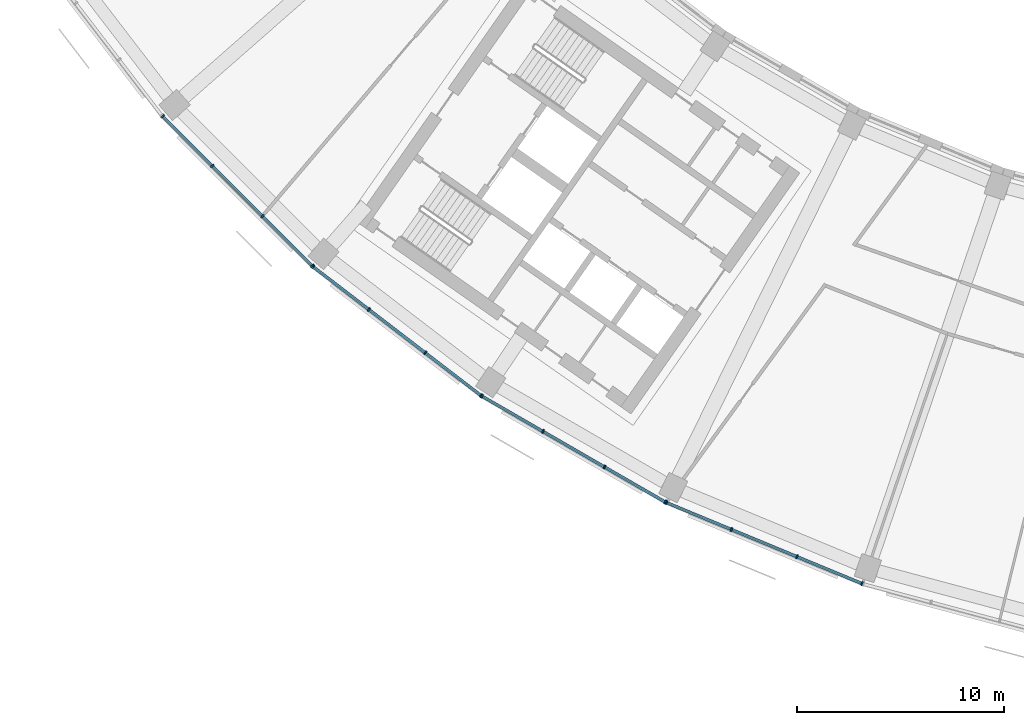
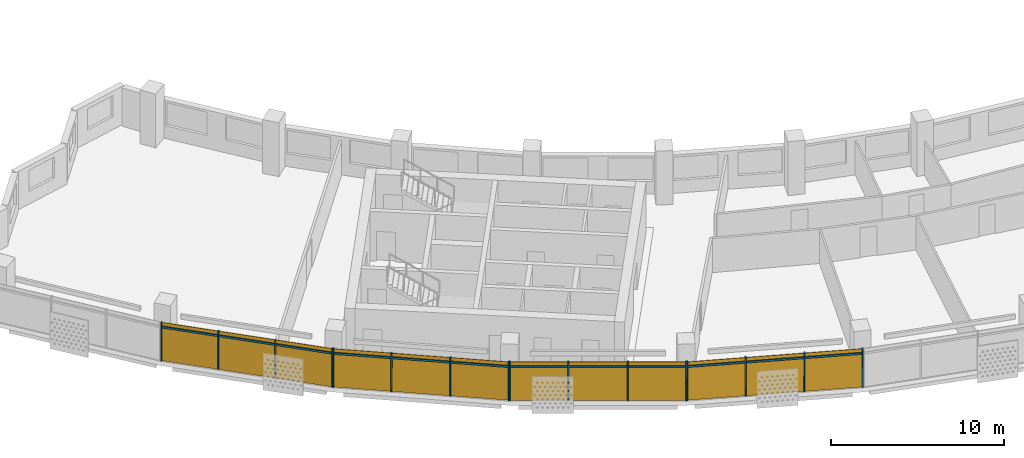
# One storey, part 17 of 28: 28 members, 4 curtain walls.
"""IFC4 building model written with IfcOpenShell, lengths in metres."""

import ifcopenshell
import ifcopenshell.guid

model = None  # the IFC model being written
_history = None  # IfcOwnerHistory: only IFC2X3 demands one
_inside = {}  # id of a spatial element -> (the spatial element, [elements in it])
_under = {}  # id of a project, library or spatial element -> (it, [spatial elements below it])
_declared = {}  # id of a project -> (the project, [libraries it declares])
_typed = {}  # id of a type object -> (the type object, [elements of that type])
_made_of = {}  # id of a material, layer set ... -> (it, [elements and type objects made of it])


def new_model(schema):
    """Start an empty IFC model of exactly this schema.

    Asked for "IFC4X3", IfcOpenShell would pick the latest addendum, in which some entities
    have other attributes; the version numbers below select the first issue.
    IFC2X3 requires an IfcOwnerHistory on every rooted entity: one is made here for all.
    """
    global model, _history
    if schema == "IFC4X3":
        model = ifcopenshell.file(schema_version=(4, 3, 0, 0))
    else:
        model = ifcopenshell.file(schema=schema)
    _inside.clear()
    _under.clear()
    _declared.clear()
    _typed.clear()
    _made_of.clear()
    _history = None
    if model.schema == "IFC2X3":
        org = make("IfcOrganization", Name="unknown")
        user = make(
            "IfcPersonAndOrganization",
            ThePerson=make("IfcPerson", FamilyName="unknown"),
            TheOrganization=org,
        )
        app = make(
            "IfcApplication",
            ApplicationDeveloper=org,
            Version="unknown",
            ApplicationFullName="unknown",
            ApplicationIdentifier="unknown",
        )
        _history = make(
            "IfcOwnerHistory",
            OwningUser=user,
            OwningApplication=app,
            ChangeAction="ADDED",
            CreationDate=0,
        )
    return model


def make(cls, **values):
    """One entity of the class cls with the attributes given. An attribute that is None is left unset."""
    return model.create_entity(
        cls, **{name: value for name, value in values.items() if value is not None}
    )


def rooted(cls, **values):
    """An entity with a GlobalId (a new one), such as an element, a storey or a relation."""
    return make(cls, GlobalId=ifcopenshell.guid.new(), OwnerHistory=_history, **values)


def si_unit(unit_type, name, prefix=None):
    """IfcSIUnit, for example si_unit("LENGTHUNIT", "METRE", prefix="MILLI")."""
    return make("IfcSIUnit", UnitType=unit_type, Prefix=prefix, Name=name)


def assignment(units):
    """IfcUnitAssignment: the units of a project."""
    return None if units is None else make("IfcUnitAssignment", Units=units)


def point(xyz):
    """IfcCartesianPoint."""
    return None if xyz is None else make("IfcCartesianPoint", Coordinates=xyz)


def direction(xyz):
    """IfcDirection."""
    return None if xyz is None else make("IfcDirection", DirectionRatios=xyz)


def frame(location, z_axis=None, x_axis=None):
    """IfcAxis2Placement3D, a coordinate frame: its origin and axes. An axis left out is left unset."""
    return make(
        "IfcAxis2Placement3D",
        Location=point(location),
        Axis=direction(z_axis),
        RefDirection=direction(x_axis),
    )


def frame_2d(location, x_axis=None):
    """IfcAxis2Placement2D, a coordinate frame in the plane: its origin and x axis."""
    return make(
        "IfcAxis2Placement2D", Location=point(location), RefDirection=direction(x_axis)
    )


def origin():
    """The frame at (0, 0, 0) with its axes left unset."""
    return frame((0.0, 0.0, 0.0))


def origin_2d():
    """The frame at (0, 0) in the plane with its x axis left unset."""
    return frame_2d((0.0, 0.0))


def place(relative_to, where):
    """IfcLocalPlacement: puts the frame where relative to a parent placement (None: the world)."""
    return make(
        "IfcLocalPlacement", PlacementRelTo=relative_to, RelativePlacement=where
    )


def context(
    kind, dimensions, precision=None, world=None, true_north=None, identifier=None
):
    """IfcGeometricRepresentationContext, for example the 3D "Model" context."""
    return make(
        "IfcGeometricRepresentationContext",
        ContextIdentifier=identifier,
        ContextType=kind,
        CoordinateSpaceDimension=dimensions,
        Precision=precision,
        WorldCoordinateSystem=world,
        TrueNorth=true_north,
    )


def subcontext(parent, identifier, kind, view, scale=None):
    """IfcGeometricRepresentationSubContext, for example "Body" below "Model"."""
    return make(
        "IfcGeometricRepresentationSubContext",
        ContextIdentifier=identifier,
        ContextType=kind,
        ParentContext=parent,
        TargetScale=scale,
        TargetView=view,
    )


def project(units=None, contexts=None):
    """IfcProject with its units and contexts."""
    return rooted(
        "IfcProject",
        Name="project",
        RepresentationContexts=contexts,
        UnitsInContext=assignment(units),
    )


def spatial(cls, under=None, at=None, **own):
    """A site, building, storey or space (cls), placed at a placement, below another one or the project."""
    s = rooted(cls, ObjectPlacement=at, **own)
    if under is not None:
        _under.setdefault(under.id(), (under, []))[1].append(s)
    return s


def profile(cls, at=None, kind="AREA", **sizes):
    """A parametric profile (cls). Its sizes go by their IFC names, for example OverallWidth=200.0."""
    return make(cls, ProfileType=kind, Position=at, **sizes)


def rectangle(**sizes):
    """IfcRectangleProfileDef."""
    return profile("IfcRectangleProfileDef", **sizes)


def extrude(swept, where, along, depth):
    """IfcExtrudedAreaSolid: the profile swept, set in the frame where, extruded along a direction by depth."""
    return make(
        "IfcExtrudedAreaSolid",
        SweptArea=swept,
        Position=where,
        ExtrudedDirection=direction(along),
        Depth=depth,
    )


def shape(context_of_items, identifier, shape_type, items):
    """IfcShapeRepresentation: the items that make up one representation, for example the "Body"."""
    return make(
        "IfcShapeRepresentation",
        ContextOfItems=context_of_items,
        RepresentationIdentifier=identifier,
        RepresentationType=shape_type,
        Items=items,
    )


def material(Name=None, Category=None):
    """IfcMaterial."""
    return make("IfcMaterial", Name=Name, Category=Category)


def material_profile(
    of_material, cross_section, Name=None, Category=None, Priority=None
):
    """IfcMaterialProfile: a cross section and its material."""
    return make(
        "IfcMaterialProfile",
        Name=Name,
        Material=of_material,
        Profile=cross_section,
        Priority=Priority,
        Category=Category,
    )


def profile_set(profiles, Name=None, composite=None):
    """IfcMaterialProfileSet."""
    return make(
        "IfcMaterialProfileSet",
        Name=Name,
        MaterialProfiles=profiles,
        CompositeProfile=composite,
    )


def made_of(thing, what):
    """Note that an element or type object is made of a material, layer set ...; save() writes the relation."""
    if what is not None:
        _made_of.setdefault(what.id(), (what, []))[1].append(thing)
    return thing


def type_object(cls, material=None, **own):
    """A type object (cls), such as IfcWallType, which elements share."""
    return made_of(rooted(cls, **own), material)


def element(
    cls,
    number,
    at=None,
    inside=None,
    cuts=None,
    type_object=None,
    material=None,
    context=None,
    identifier="Body",
    shape_type=None,
    held_by="IfcProductDefinitionShape",
    body=None,
    shapes=None,
    **own,
):
    """One element of the class cls, such as IfcWall. Its Tag is "e" and its number.

    at: its placement. inside: the storey or other place that contains it. cuts: it is an
    opening in that element (IfcRelVoidsElement). A single representation is given by context,
    identifier, shape_type and body (its items); several are given by shapes. held_by: the class
    of the entity that holds the representations. save() writes the other relations.
    """
    e = rooted(cls, Tag="e%d" % number, ObjectPlacement=at, **own)
    if body is not None:
        shapes = [shape(context, identifier, shape_type, body)]
    if shapes is not None:
        e.Representation = make(held_by, Representations=shapes)
    if inside is not None:
        _inside.setdefault(inside.id(), (inside, []))[1].append(e)
    if cuts is not None:
        rooted(
            "IfcRelVoidsElement", RelatingBuildingElement=cuts, RelatedOpeningElement=e
        )
    if type_object is not None:
        _typed.setdefault(type_object.id(), (type_object, []))[1].append(e)
    return made_of(e, material)


def aggregate(whole, parts):
    """IfcRelAggregates: a whole, such as a stair, and the parts it consists of."""
    return rooted("IfcRelAggregates", RelatingObject=whole, RelatedObjects=parts)


def save(model, path):
    """Write the relations noted so far, then the file.

    IfcRelAggregates (storeys below a building ...), IfcRelContainedInSpatialStructure (elements
    in a storey), IfcRelDefinesByType, IfcRelAssociatesMaterial and IfcRelDeclares: one each for
    every whole, place, type object, material and project.
    """
    for whole, parts in _under.values():
        aggregate(whole, parts)
    for where, things in _inside.values():
        rooted(
            "IfcRelContainedInSpatialStructure",
            RelatedElements=things,
            RelatingStructure=where,
        )
    for kind, things in _typed.values():
        rooted("IfcRelDefinesByType", RelatedObjects=things, RelatingType=kind)
    for what, things in _made_of.values():
        rooted("IfcRelAssociatesMaterial", RelatedObjects=things, RelatingMaterial=what)
    for by, libraries in _declared.values():
        rooted("IfcRelDeclares", RelatingContext=by, RelatedDefinitions=libraries)
    model.write(path)


model = new_model("IFC4")

# Units and contexts
model_context = context("Model", 3, precision=1e-05, world=origin(), true_north=direction((0.0, 1.0)))
body_context = subcontext(model_context, "Body", "Model", "MODEL_VIEW")
ifc_project = project(units=[si_unit("LENGTHUNIT", "METRE"), si_unit("AREAUNIT", "SQUARE_METRE"), si_unit("VOLUMEUNIT", "CUBIC_METRE"), si_unit("PLANEANGLEUNIT", "RADIAN"), si_unit("MASSUNIT", "GRAM", prefix="KILO")], contexts=[model_context])

# Member
ifc_material = material(Name="Aluminium 6063-T6 anodised", Category="aluminium")
ifc_material_profile_1 = material_profile(ifc_material, rectangle(XDim=0.199951171875, YDim=0.070068359375, at=origin_2d()))
ifc_profile_set_1 = profile_set([ifc_material_profile_1], Name="Aluminium 6063-T6 anodised")
member_type_1 = type_object("IfcMemberType", Name="Mullion 70 x 200 aluminium", PredefinedType="MULLION", material=ifc_profile_set_1)
site_placement = place(None, origin())
building_placement = place(site_placement, origin())
storey_placement = place(building_placement, frame((0.0, 0.0, 245.5)))
member_1_placement = place(storey_placement, frame((-59.03662109375, -51.8115234375, 0.0), z_axis=(0.0, 0.0, 1.0), x_axis=(0.707106781187, 0.707106781187, 0.0)))
member_1 = element("IfcMember", 1, at=member_1_placement, type_object=member_type_1, Name="e-cw1-L59-out02/M00", PredefinedType="MULLION", context=body_context, shape_type="SweptSolid", body=[
    extrude(rectangle(XDim=0.199951171875, YDim=0.070068359375, at=origin_2d()), origin(), (0.0, 0.0, 1.0), 2.699951171875),
])

member_2_placement = place(storey_placement, frame((-56.63671875, -54.211669921875, 0.0), z_axis=(0.0, 0.0, 1.0), x_axis=(0.707106781187, 0.707106781187, 0.0)))
member_2 = element("IfcMember", 2, at=member_2_placement, type_object=member_type_1, Name="e-cw1-L59-out02/M01", PredefinedType="MULLION", context=body_context, shape_type="SweptSolid", body=[
    extrude(rectangle(XDim=0.199951171875, YDim=0.070068359375, at=origin_2d()), origin(), (0.0, 0.0, 1.0), 2.699951171875),
])

member_3_placement = place(storey_placement, frame((-54.211669921875, -56.63671875, 0.0), z_axis=(0.0, 0.0, 1.0), x_axis=(0.707106781187, 0.707106781187, 0.0)))
member_3 = element("IfcMember", 3, at=member_3_placement, type_object=member_type_1, Name="e-cw1-L59-out02/M02", PredefinedType="MULLION", context=body_context, shape_type="SweptSolid", body=[
    extrude(rectangle(XDim=0.199951171875, YDim=0.070068359375, at=origin_2d()), origin(), (0.0, 0.0, 1.0), 2.699951171875),
])

member_4_placement = place(storey_placement, frame((-51.8115234375, -59.03662109375, 0.0), z_axis=(0.0, 0.0, 1.0), x_axis=(0.707106781187, 0.707106781187, 0.0)))
member_4 = element("IfcMember", 4, at=member_4_placement, type_object=member_type_1, Name="e-cw1-L59-out02/M03", PredefinedType="MULLION", context=body_context, shape_type="SweptSolid", body=[
    extrude(rectangle(XDim=0.199951171875, YDim=0.070068359375, at=origin_2d()), origin(), (0.0, 0.0, 1.0), 2.699951171875),
])

member_5_placement = place(storey_placement, frame((-51.768798828125, -59.07421875, 0.0), z_axis=(0.0, 0.0, 1.0), x_axis=(0.608761429009, 0.793353340291, 0.0)))
member_5 = element("IfcMember", 5, at=member_5_placement, type_object=member_type_1, Name="e-cw1-L59-out03/M00", PredefinedType="MULLION", context=body_context, shape_type="SweptSolid", body=[
    extrude(rectangle(XDim=0.199951171875, YDim=0.070068359375, at=origin_2d()), origin(), (0.0, 0.0, 1.0), 2.699951171875),
])

member_6_placement = place(storey_placement, frame((-49.075927734375, -61.140380859375, 0.0), z_axis=(0.0, 0.0, 1.0), x_axis=(0.608761429009, 0.793353340291, 0.0)))
member_6 = element("IfcMember", 6, at=member_6_placement, type_object=member_type_1, Name="e-cw1-L59-out03/M01", PredefinedType="MULLION", context=body_context, shape_type="SweptSolid", body=[
    extrude(rectangle(XDim=0.199951171875, YDim=0.070068359375, at=origin_2d()), origin(), (0.0, 0.0, 1.0), 2.699951171875),
])

member_7_placement = place(storey_placement, frame((-46.35546875, -63.22802734375, 0.0), z_axis=(0.0, 0.0, 1.0), x_axis=(0.608761429009, 0.793353340291, 0.0)))
member_7 = element("IfcMember", 7, at=member_7_placement, type_object=member_type_1, Name="e-cw1-L59-out03/M02", PredefinedType="MULLION", context=body_context, shape_type="SweptSolid", body=[
    extrude(rectangle(XDim=0.199951171875, YDim=0.070068359375, at=origin_2d()), origin(), (0.0, 0.0, 1.0), 2.699951171875),
])

member_8_placement = place(storey_placement, frame((-43.66259765625, -65.29443359375, 0.0), z_axis=(0.0, 0.0, 1.0), x_axis=(0.608761429009, 0.793353340291, 0.0)))
member_8 = element("IfcMember", 8, at=member_8_placement, type_object=member_type_1, Name="e-cw1-L59-out03/M03", PredefinedType="MULLION", context=body_context, shape_type="SweptSolid", body=[
    extrude(rectangle(XDim=0.199951171875, YDim=0.070068359375, at=origin_2d()), origin(), (0.0, 0.0, 1.0), 2.699951171875),
])

member_9_placement = place(storey_placement, frame((-43.615234375, -65.325927734375, 0.0), z_axis=(0.0, 0.0, 1.0), x_axis=(0.5, 0.866025403784, 0.0)))
member_9 = element("IfcMember", 9, at=member_9_placement, type_object=member_type_1, Name="e-cw1-L59-out04/M00", PredefinedType="MULLION", context=body_context, shape_type="SweptSolid", body=[
    extrude(rectangle(XDim=0.199951171875, YDim=0.070068359375, at=origin_2d()), origin(), (0.0, 0.0, 1.0), 2.699951171875),
])

member_10_placement = place(storey_placement, frame((-40.67578125, -67.023193359375, 0.0), z_axis=(0.0, 0.0, 1.0), x_axis=(0.5, 0.866025403784, 0.0)))
member_10 = element("IfcMember", 10, at=member_10_placement, type_object=member_type_1, Name="e-cw1-L59-out04/M01", PredefinedType="MULLION", context=body_context, shape_type="SweptSolid", body=[
    extrude(rectangle(XDim=0.199951171875, YDim=0.070068359375, at=origin_2d()), origin(), (0.0, 0.0, 1.0), 2.699951171875),
])

member_11_placement = place(storey_placement, frame((-37.705810546875, -68.73779296875, 0.0), z_axis=(0.0, 0.0, 1.0), x_axis=(0.5, 0.866025403784, 0.0)))
member_11 = element("IfcMember", 11, at=member_11_placement, type_object=member_type_1, Name="e-cw1-L59-out04/M02", PredefinedType="MULLION", context=body_context, shape_type="SweptSolid", body=[
    extrude(rectangle(XDim=0.199951171875, YDim=0.070068359375, at=origin_2d()), origin(), (0.0, 0.0, 1.0), 2.699951171875),
])

member_12_placement = place(storey_placement, frame((-34.766357421875, -70.43505859375, 0.0), z_axis=(0.0, 0.0, 1.0), x_axis=(0.5, 0.866025403784, 0.0)))
member_12 = element("IfcMember", 12, at=member_12_placement, type_object=member_type_1, Name="e-cw1-L59-out04/M03", PredefinedType="MULLION", context=body_context, shape_type="SweptSolid", body=[
    extrude(rectangle(XDim=0.199951171875, YDim=0.070068359375, at=origin_2d()), origin(), (0.0, 0.0, 1.0), 2.699951171875),
])

member_13_placement = place(storey_placement, frame((-34.71533203125, -70.4599609375, 0.0), z_axis=(0.0, 0.0, 1.0), x_axis=(0.382683432365, 0.923879532511, 0.0)))
member_13 = element("IfcMember", 13, at=member_13_placement, type_object=member_type_1, Name="e-cw1-L59-out05/M00", PredefinedType="MULLION", context=body_context, shape_type="SweptSolid", body=[
    extrude(rectangle(XDim=0.199951171875, YDim=0.070068359375, at=origin_2d()), origin(), (0.0, 0.0, 1.0), 2.699951171875),
])

member_14_placement = place(storey_placement, frame((-31.57958984375, -71.759033203125, 0.0), z_axis=(0.0, 0.0, 1.0), x_axis=(0.382683432365, 0.923879532511, 0.0)))
member_14 = element("IfcMember", 14, at=member_14_placement, type_object=member_type_1, Name="e-cw1-L59-out05/M01", PredefinedType="MULLION", context=body_context, shape_type="SweptSolid", body=[
    extrude(rectangle(XDim=0.199951171875, YDim=0.070068359375, at=origin_2d()), origin(), (0.0, 0.0, 1.0), 2.699951171875),
])

member_15_placement = place(storey_placement, frame((-28.4111328125, -73.0712890625, 0.0), z_axis=(0.0, 0.0, 1.0), x_axis=(0.382683432365, 0.923879532511, 0.0)))
member_15 = element("IfcMember", 15, at=member_15_placement, type_object=member_type_1, Name="e-cw1-L59-out05/M02", PredefinedType="MULLION", context=body_context, shape_type="SweptSolid", body=[
    extrude(rectangle(XDim=0.199951171875, YDim=0.070068359375, at=origin_2d()), origin(), (0.0, 0.0, 1.0), 2.699951171875),
])

member_16_placement = place(storey_placement, frame((-25.275390625, -74.370361328125, 0.0), z_axis=(0.0, 0.0, 1.0), x_axis=(0.382683432365, 0.923879532511, 0.0)))
member_16 = element("IfcMember", 16, at=member_16_placement, type_object=member_type_1, Name="e-cw1-L59-out05/M03", PredefinedType="MULLION", context=body_context, shape_type="SweptSolid", body=[
    extrude(rectangle(XDim=0.199951171875, YDim=0.070068359375, at=origin_2d()), origin(), (0.0, 0.0, 1.0), 2.699951171875),
])

ifc_material_profile_2 = material_profile(ifc_material, rectangle(XDim=0.139892578125, YDim=0.1201171875, at=origin_2d()))
ifc_profile_set_2 = profile_set([ifc_material_profile_2], Name="Aluminium 6063-T6 anodised")
member_type_2 = type_object("IfcMemberType", Name="Transom 120 x 140 aluminium", PredefinedType="USERDEFINED", material=ifc_profile_set_2)
member_17_placement = place(storey_placement, frame((-59.011962890625, -51.83642578125, 2.39990234375), z_axis=(0.707106781187, -0.707106781187, 0.0), x_axis=(0.707106781187, 0.707106781187, 0.0)))
member_17 = element("IfcMember", 17, at=member_17_placement, type_object=member_type_2, Name="e-cw1-L59-out02/T00", ObjectType="TRANSOM", PredefinedType="USERDEFINED", context=body_context, shape_type="SweptSolid", body=[
    extrude(rectangle(XDim=0.139892578125, YDim=0.1201171875, at=origin_2d()), origin(), (0.0, 0.0, 1.0), 3.32421875),
])

member_18_placement = place(storey_placement, frame((-56.61181640625, -54.236572265625, 2.39990234375), z_axis=(0.707106781187, -0.707106781187, 0.0), x_axis=(0.707106781187, 0.707106781187, 0.0)))
member_18 = element("IfcMember", 18, at=member_18_placement, type_object=member_type_2, Name="e-cw1-L59-out02/T01", ObjectType="TRANSOM", PredefinedType="USERDEFINED", context=body_context, shape_type="SweptSolid", body=[
    extrude(rectangle(XDim=0.139892578125, YDim=0.1201171875, at=origin_2d()), origin(), (0.0, 0.0, 1.0), 3.359130859375),
])

member_19_placement = place(storey_placement, frame((-54.18701171875, -56.661376953125, 2.39990234375), z_axis=(0.707106781187, -0.707106781187, 0.0), x_axis=(0.707106781187, 0.707106781187, 0.0)))
member_19 = element("IfcMember", 19, at=member_19_placement, type_object=member_type_2, Name="e-cw1-L59-out02/T02", ObjectType="TRANSOM", PredefinedType="USERDEFINED", context=body_context, shape_type="SweptSolid", body=[
    extrude(rectangle(XDim=0.139892578125, YDim=0.1201171875, at=origin_2d()), origin(), (0.0, 0.0, 1.0), 3.32421875),
])

member_20_placement = place(storey_placement, frame((-51.7412109375, -59.095458984375, 2.39990234375), z_axis=(0.793368713958, -0.608741393132, 0.0), x_axis=(0.608741393132, 0.793368713958, 0.0)))
member_20 = element("IfcMember", 20, at=member_20_placement, type_object=member_type_2, Name="e-cw1-L59-out03/T00", ObjectType="TRANSOM", PredefinedType="USERDEFINED", context=body_context, shape_type="SweptSolid", body=[
    extrude(rectangle(XDim=0.139892578125, YDim=0.1201171875, at=origin_2d()), origin(), (0.0, 0.0, 1.0), 3.324462890625),
])

member_21_placement = place(storey_placement, frame((-49.04833984375, -61.161865234375, 2.39990234375), z_axis=(0.793385234627, -0.608719861247, 0.0), x_axis=(0.608719861247, 0.793385234627, 0.0)))
member_21 = element("IfcMember", 21, at=member_21_placement, type_object=member_type_2, Name="e-cw1-L59-out03/T01", ObjectType="TRANSOM", PredefinedType="USERDEFINED", context=body_context, shape_type="SweptSolid", body=[
    extrude(rectangle(XDim=0.139892578125, YDim=0.1201171875, at=origin_2d()), origin(), (0.0, 0.0, 1.0), 3.359375),
])

member_22_placement = place(storey_placement, frame((-46.32763671875, -63.24951171875, 2.39990234375), z_axis=(0.793368713958, -0.608741393132, 0.0), x_axis=(0.608741393132, 0.793368713958, 0.0)))
member_22 = element("IfcMember", 22, at=member_22_placement, type_object=member_type_2, Name="e-cw1-L59-out03/T02", ObjectType="TRANSOM", PredefinedType="USERDEFINED", context=body_context, shape_type="SweptSolid", body=[
    extrude(rectangle(XDim=0.139892578125, YDim=0.1201171875, at=origin_2d()), origin(), (0.0, 0.0, 1.0), 3.324462890625),
])

member_23_placement = place(storey_placement, frame((-43.5849609375, -65.343505859375, 2.39990234375), z_axis=(0.866029041019, -0.499993700073, 0.0), x_axis=(0.499993700073, 0.866029041019, 0.0)))
member_23 = element("IfcMember", 23, at=member_23_placement, type_object=member_type_2, Name="e-cw1-L59-out04/T00", ObjectType="TRANSOM", PredefinedType="USERDEFINED", context=body_context, shape_type="SweptSolid", body=[
    extrude(rectangle(XDim=0.139892578125, YDim=0.1201171875, at=origin_2d()), origin(), (0.0, 0.0, 1.0), 3.32421875),
])

member_24_placement = place(storey_placement, frame((-40.6455078125, -67.04052734375, 2.39990234375), z_axis=(0.866034314054, -0.499984566643, 0.0), x_axis=(0.499984566643, 0.866034314054, 0.0)))
member_24 = element("IfcMember", 24, at=member_24_placement, type_object=member_type_2, Name="e-cw1-L59-out04/T01", ObjectType="TRANSOM", PredefinedType="USERDEFINED", context=body_context, shape_type="SweptSolid", body=[
    extrude(rectangle(XDim=0.139892578125, YDim=0.1201171875, at=origin_2d()), origin(), (0.0, 0.0, 1.0), 3.359375),
])

member_25_placement = place(storey_placement, frame((-37.675537109375, -68.75537109375, 2.39990234375), z_axis=(0.866029041019, -0.499993700073, 0.0), x_axis=(0.499993700073, 0.866029041019, 0.0)))
member_25 = element("IfcMember", 25, at=member_25_placement, type_object=member_type_2, Name="e-cw1-L59-out04/T02", ObjectType="TRANSOM", PredefinedType="USERDEFINED", context=body_context, shape_type="SweptSolid", body=[
    extrude(rectangle(XDim=0.139892578125, YDim=0.1201171875, at=origin_2d()), origin(), (0.0, 0.0, 1.0), 3.32421875),
])

member_26_placement = place(storey_placement, frame((-34.68310546875, -70.473388671875, 2.39990234375), z_axis=(0.923874511193, -0.382695554676, 0.0), x_axis=(0.382695554676, 0.923874511193, 0.0)))
member_26 = element("IfcMember", 26, at=member_26_placement, type_object=member_type_2, Name="e-cw1-L59-out05/T00", ObjectType="TRANSOM", PredefinedType="USERDEFINED", context=body_context, shape_type="SweptSolid", body=[
    extrude(rectangle(XDim=0.139892578125, YDim=0.1201171875, at=origin_2d()), origin(), (0.0, 0.0, 1.0), 3.324462890625),
])

member_27_placement = place(storey_placement, frame((-31.547119140625, -71.7724609375, 2.39990234375), z_axis=(0.923891938088, -0.38265348128, 0.0), x_axis=(0.38265348128, 0.923891938088, 0.0)))
member_27 = element("IfcMember", 27, at=member_27_placement, type_object=member_type_2, Name="e-cw1-L59-out05/T01", ObjectType="TRANSOM", PredefinedType="USERDEFINED", context=body_context, shape_type="SweptSolid", body=[
    extrude(rectangle(XDim=0.139892578125, YDim=0.1201171875, at=origin_2d()), origin(), (0.0, 0.0, 1.0), 3.359130859375),
])

member_28_placement = place(storey_placement, frame((-28.37890625, -73.084716796875, 2.39990234375), z_axis=(0.923874511193, -0.382695554676, 0.0), x_axis=(0.382695554676, 0.923874511193, 0.0)))
member_28 = element("IfcMember", 28, at=member_28_placement, type_object=member_type_2, Name="e-cw1-L59-out05/T02", ObjectType="TRANSOM", PredefinedType="USERDEFINED", context=body_context, shape_type="SweptSolid", body=[
    extrude(rectangle(XDim=0.139892578125, YDim=0.1201171875, at=origin_2d()), origin(), (0.0, 0.0, 1.0), 3.324462890625),
])

# Site, building, storey
site = spatial("IfcSite", under=ifc_project, at=site_placement, CompositionType="ELEMENT")
building = spatial("IfcBuilding", under=site, at=building_placement, Name="Qamariyya Broadcast Tower", CompositionType="ELEMENT")
storey = spatial("IfcBuildingStorey", under=building, at=storey_placement, Name="L59", CompositionType="ELEMENT", Elevation=245.5)

# Curtain wall
curtain_wall_type = type_object("IfcCurtainWallType", Name="Unitised curtain wall, anodised aluminium", PredefinedType="NOTDEFINED", material=ifc_material)
curtain_wall_1_placement = place(storey_placement, origin())
curtain_wall_1 = element("IfcCurtainWall", 29, at=curtain_wall_1_placement, inside=storey, type_object=curtain_wall_type, Name="e-cw1-L59-out02", PredefinedType="NOTDEFINED", context=body_context, shape_type="SweptSolid", body=[
    extrude(rectangle(XDim=3.32421875, YDim=0.031982421875, at=origin_2d()), frame((-57.836669921875, -53.01171875, 0.0), x_axis=(0.707106781187, -0.707106781187, 0.0)), (0.0, 0.0, 1.0), 2.340087890625),
    extrude(rectangle(XDim=3.32421875, YDim=0.031982421875, at=origin_2d()), frame((-57.836669921875, -53.01171875, 2.4599609375), x_axis=(0.707106781187, -0.707106781187, 0.0)), (0.0, 0.0, 1.0), 0.239990234375),
    extrude(rectangle(XDim=3.359375, YDim=0.031982421875, at=origin_2d()), frame((-55.42431640625, -55.42431640625, 0.0), x_axis=(0.707106781187, -0.707106781187, 0.0)), (0.0, 0.0, 1.0), 2.340087890625),
    extrude(rectangle(XDim=3.359375, YDim=0.031982421875, at=origin_2d()), frame((-55.42431640625, -55.42431640625, 2.4599609375), x_axis=(0.707106781187, -0.707106781187, 0.0)), (0.0, 0.0, 1.0), 0.239990234375),
    extrude(rectangle(XDim=3.32421875, YDim=0.031982421875, at=origin_2d()), frame((-53.01171875, -57.836669921875, 0.0), x_axis=(0.707106781187, -0.707106781187, 0.0)), (0.0, 0.0, 1.0), 2.340087890625),
    extrude(rectangle(XDim=3.32421875, YDim=0.031982421875, at=origin_2d()), frame((-53.01171875, -57.836669921875, 2.4599609375), x_axis=(0.707106781187, -0.707106781187, 0.0)), (0.0, 0.0, 1.0), 0.239990234375),
])

aggregate(curtain_wall_1, [member_1, member_2, member_3, member_4, member_17, member_18, member_19])

curtain_wall_2_placement = place(storey_placement, origin())
curtain_wall_2 = element("IfcCurtainWall", 30, at=curtain_wall_2_placement, inside=storey, type_object=curtain_wall_type, Name="e-cw1-L59-out03", PredefinedType="NOTDEFINED", context=body_context, shape_type="SweptSolid", body=[
    extrude(rectangle(XDim=3.32421875, YDim=0.031982421875, at=origin_2d()), frame((-50.42236328125, -60.107421875, 0.0), x_axis=(0.793359168734, -0.608753833159, 0.0)), (0.0, 0.0, 1.0), 2.340087890625),
    extrude(rectangle(XDim=3.32421875, YDim=0.031982421875, at=origin_2d()), frame((-50.42236328125, -60.107421875, 2.4599609375), x_axis=(0.793359168734, -0.608753833159, 0.0)), (0.0, 0.0, 1.0), 0.239990234375),
    extrude(rectangle(XDim=3.359130859375, YDim=0.031982421875, at=origin_2d()), frame((-47.7158203125, -62.184326171875, 0.0), x_axis=(0.793359168734, -0.608753833159, 0.0)), (0.0, 0.0, 1.0), 2.340087890625),
    extrude(rectangle(XDim=3.359130859375, YDim=0.031982421875, at=origin_2d()), frame((-47.7158203125, -62.184326171875, 2.4599609375), x_axis=(0.793359168734, -0.608753833159, 0.0)), (0.0, 0.0, 1.0), 0.239990234375),
    extrude(rectangle(XDim=3.32421875, YDim=0.031982421875, at=origin_2d()), frame((-45.009033203125, -64.26123046875, 0.0), x_axis=(0.793359168734, -0.608753833159, 0.0)), (0.0, 0.0, 1.0), 2.340087890625),
    extrude(rectangle(XDim=3.32421875, YDim=0.031982421875, at=origin_2d()), frame((-45.009033203125, -64.26123046875, 2.4599609375), x_axis=(0.793359168734, -0.608753833159, 0.0)), (0.0, 0.0, 1.0), 0.239990234375),
])

aggregate(curtain_wall_2, [member_5, member_6, member_7, member_8, member_20, member_21, member_22])

curtain_wall_3_placement = place(storey_placement, origin())
curtain_wall_3 = element("IfcCurtainWall", 31, at=curtain_wall_3_placement, inside=storey, type_object=curtain_wall_type, Name="e-cw1-L59-out04", PredefinedType="NOTDEFINED", context=body_context, shape_type="SweptSolid", body=[
    extrude(rectangle(XDim=3.32421875, YDim=0.031982421875, at=origin_2d()), frame((-42.1455078125, -66.174560546875, 0.0), x_axis=(0.866027904674, -0.499995668308, 0.0)), (0.0, 0.0, 1.0), 2.340087890625),
    extrude(rectangle(XDim=3.32421875, YDim=0.031982421875, at=origin_2d()), frame((-42.1455078125, -66.174560546875, 2.4599609375), x_axis=(0.866027904674, -0.499995668308, 0.0)), (0.0, 0.0, 1.0), 0.239990234375),
    extrude(rectangle(XDim=3.359130859375, YDim=0.031982421875, at=origin_2d()), frame((-39.19091796875, -67.88037109375, 0.0), x_axis=(0.866027904674, -0.499995668308, 0.0)), (0.0, 0.0, 1.0), 2.340087890625),
    extrude(rectangle(XDim=3.359130859375, YDim=0.031982421875, at=origin_2d()), frame((-39.19091796875, -67.88037109375, 2.4599609375), x_axis=(0.866027904674, -0.499995668308, 0.0)), (0.0, 0.0, 1.0), 0.239990234375),
    extrude(rectangle(XDim=3.32421875, YDim=0.031982421875, at=origin_2d()), frame((-36.236083984375, -69.58642578125, 0.0), x_axis=(0.866027904674, -0.499995668308, 0.0)), (0.0, 0.0, 1.0), 2.340087890625),
    extrude(rectangle(XDim=3.32421875, YDim=0.031982421875, at=origin_2d()), frame((-36.236083984375, -69.58642578125, 2.4599609375), x_axis=(0.866027904674, -0.499995668308, 0.0)), (0.0, 0.0, 1.0), 0.239990234375),
])

aggregate(curtain_wall_3, [member_9, member_10, member_11, member_12, member_23, member_24, member_25])

curtain_wall_4_placement = place(storey_placement, origin())
curtain_wall_4 = element("IfcCurtainWall", 32, at=curtain_wall_4_placement, inside=storey, type_object=curtain_wall_type, Name="e-cw1-L59-out05", PredefinedType="NOTDEFINED", context=body_context, shape_type="SweptSolid", body=[
    extrude(rectangle(XDim=3.32421875, YDim=0.031982421875, at=origin_2d()), frame((-33.1474609375, -71.109375, 0.0), x_axis=(0.923880895135, -0.382680142683, 0.0)), (0.0, 0.0, 1.0), 2.340087890625),
    extrude(rectangle(XDim=3.32421875, YDim=0.031982421875, at=origin_2d()), frame((-33.1474609375, -71.109375, 2.4599609375), x_axis=(0.923880895135, -0.382680142683, 0.0)), (0.0, 0.0, 1.0), 0.239990234375),
    extrude(rectangle(XDim=3.359375, YDim=0.031982421875, at=origin_2d()), frame((-29.995361328125, -72.4150390625, 0.0), x_axis=(0.923880895135, -0.382680142683, 0.0)), (0.0, 0.0, 1.0), 2.340087890625),
    extrude(rectangle(XDim=3.359375, YDim=0.031982421875, at=origin_2d()), frame((-29.995361328125, -72.4150390625, 2.4599609375), x_axis=(0.923880895135, -0.382680142683, 0.0)), (0.0, 0.0, 1.0), 0.239990234375),
    extrude(rectangle(XDim=3.32421875, YDim=0.031982421875, at=origin_2d()), frame((-26.84326171875, -73.720703125, 0.0), x_axis=(0.923880895135, -0.382680142683, 0.0)), (0.0, 0.0, 1.0), 2.340087890625),
    extrude(rectangle(XDim=3.32421875, YDim=0.031982421875, at=origin_2d()), frame((-26.84326171875, -73.720703125, 2.4599609375), x_axis=(0.923880895135, -0.382680142683, 0.0)), (0.0, 0.0, 1.0), 0.239990234375),
])

aggregate(curtain_wall_4, [member_13, member_14, member_15, member_16, member_26, member_27, member_28])

save(model, "model.ifc")
